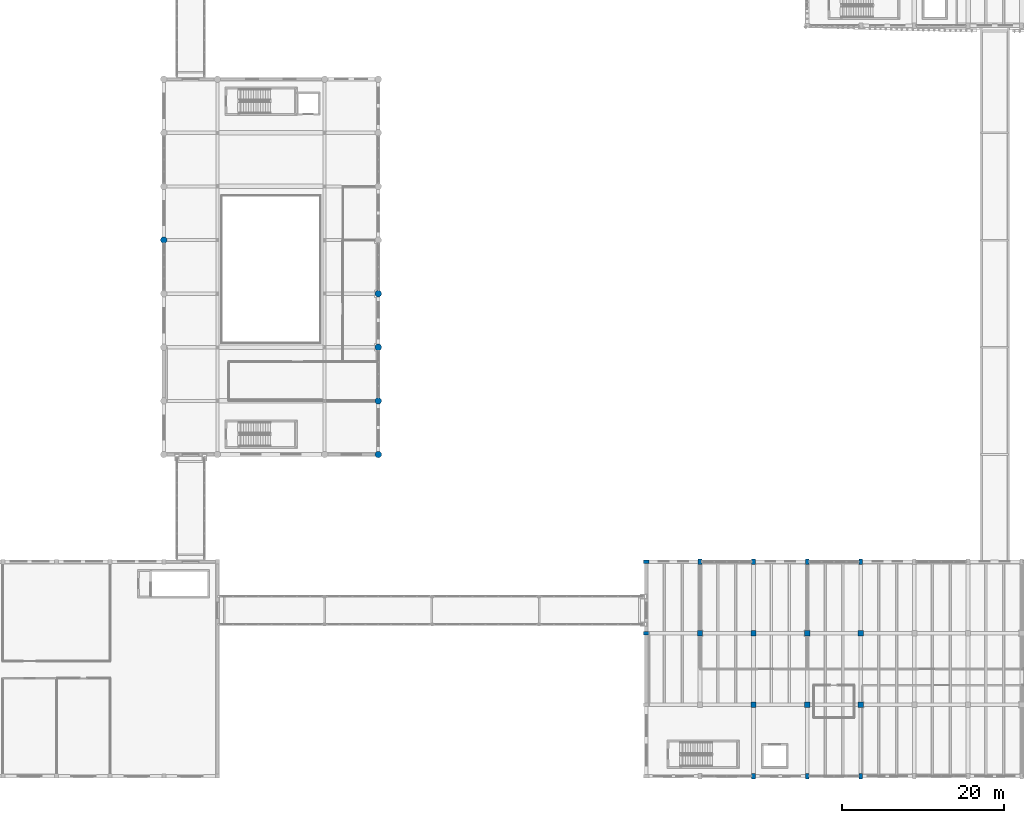
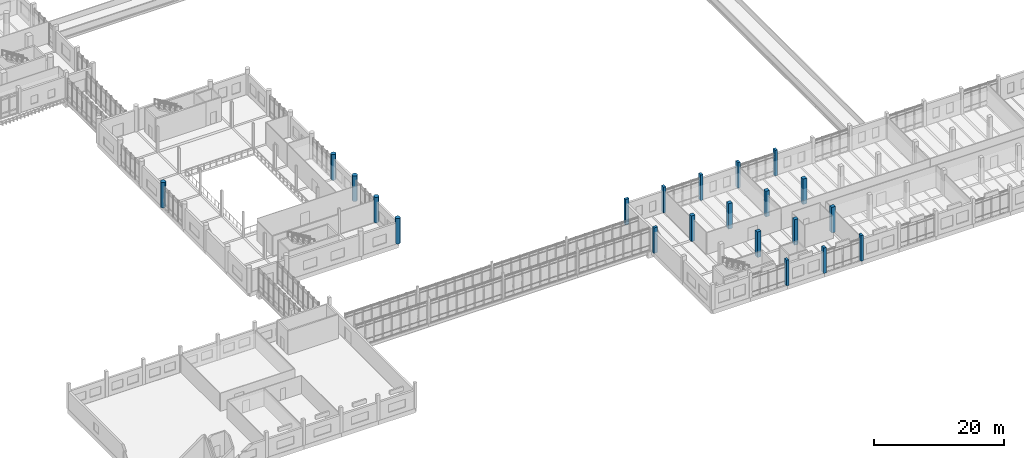
# One storey, part 5 of 101: 21 columns.
"""IFC4 building model written with IfcOpenShell, lengths in metres."""

from ifc_helpers import new_model, si_unit, direction, frame, origin, origin_2d, place, context, subcontext, project, spatial, rectangle, circle, extrude, material, material_profile, profile_set, type_object, element, save


model = new_model("IFC4")

# Units and contexts
model_context = context("Model", 3, precision=1e-05, world=origin(), true_north=direction((0.0, 1.0)))
body_context = subcontext(model_context, "Body", "Model", "MODEL_VIEW")
ifc_project = project(units=[si_unit("LENGTHUNIT", "METRE"), si_unit("AREAUNIT", "SQUARE_METRE"), si_unit("VOLUMEUNIT", "CUBIC_METRE"), si_unit("PLANEANGLEUNIT", "RADIAN"), si_unit("MASSUNIT", "GRAM", prefix="KILO")], contexts=[model_context])

# Site, building, storey
site_placement = place(None, origin())
site = spatial("IfcSite", under=ifc_project, at=site_placement, CompositionType="ELEMENT")
building_placement = place(site_placement, origin())
building = spatial("IfcBuilding", under=site, at=building_placement, Name="Dornvale Research Institute", CompositionType="ELEMENT")
storey_placement = place(building_placement, frame((0.0, 0.0, 10.199951171875)))
storey = spatial("IfcBuildingStorey", under=building, at=storey_placement, Name="L02", CompositionType="ELEMENT", Elevation=10.199951171875)

# Columns
ifc_material_1 = material(Name="Concrete f'c 45 MPa (C35/45)", Category="concrete")
ifc_material_profile_1 = material_profile(ifc_material_1, rectangle(XDim=0.64990234375, YDim=0.64990234375, at=origin_2d()), Name="RC 650x650")
ifc_profile_set_1 = profile_set([ifc_material_profile_1], Name="Concrete f'c 45 MPa (C35/45)")
column_type_1 = type_object("IfcColumnType", Name="Column_RC650", PredefinedType="COLUMN", material=ifc_profile_set_1)
for number, where, z_axis, x_axis, name in (
    (1, (105.60009765625, 17.60009765625, 0.0), (0.0, 0.0, 1.0), (1.0, 0.0, 0.0), "L02 column #888"),
    (2, (112.199951171875, 8.800048828125, 0.0), (0.0, 0.0, 1.0), (1.0, 0.0, 0.0), "L02 column #891"),
    (3, (112.199951171875, 17.60009765625, 0.0), (0.0, 0.0, 1.0), (1.0, 0.0, 0.0), "L02 column #892"),
    (4, (118.800048828125, 8.800048828125, 0.0), (0.0, 0.0, 1.0), (1.0, 0.0, 0.0), "L02 column #895"),
    (5, (118.800048828125, 17.60009765625, 0.0), (0.0, 0.0, 1.0), (1.0, 0.0, 0.0), "L02 column #896"),
    (6, (125.39990234375, 8.800048828125, 0.0), (0.0, 0.0, 1.0), (1.0, 0.0, 0.0), "L02 column #899"),
    (7, (125.39990234375, 17.60009765625, 0.0), (0.0, 0.0, 1.0), (1.0, 0.0, 0.0), "L02 column #900"),
):
    element("IfcColumn", number, at=place(storey_placement, frame(where, z_axis=z_axis, x_axis=x_axis)), inside=storey, type_object=column_type_1, Name=name, PredefinedType="COLUMN", context=body_context, shape_type="SweptSolid", body=[
        extrude(rectangle(XDim=0.64990234375, YDim=0.64990234375, at=origin_2d()), origin(), (0.0, 0.0, 1.0), 4.800048828125),
    ])
ifc_material_2 = material(Name="Concrete f'c 45 MPa (C35/45)", Category="concrete")
ifc_material_profile_2 = material_profile(ifc_material_2, circle(Radius=0.39990234375, at=origin_2d()), Name="RC DIA 800")
ifc_profile_set_2 = profile_set([ifc_material_profile_2], Name="Concrete f'c 45 MPa (C35/45)")
column_type_2 = type_object("IfcColumnType", Name="Column_RCDia800_Ext", PredefinedType="COLUMN", material=ifc_profile_set_2)
for number, where, z_axis, x_axis, name in (
    (8, (39.60009765625, 66.0, 0.0), (0.0, 0.0, 1.0), (1.0, 0.0, 0.0), "L02 column #1086"),
    (9, (66.0, 39.60009765625, 0.0), (0.0, 0.0, 1.0), (1.0, 0.0, 0.0), "L02 column #1106"),
    (10, (66.0, 46.199951171875, 0.0), (0.0, 0.0, 1.0), (1.0, 0.0, 0.0), "L02 column #1107"),
    (11, (66.0, 52.800048828125, 0.0), (0.0, 0.0, 1.0), (1.0, 0.0, 0.0), "L02 column #1108"),
    (12, (66.0, 59.39990234375, 0.0), (0.0, 0.0, 1.0), (1.0, 0.0, 0.0), "L02 column #1109"),
):
    element("IfcColumn", number, at=place(storey_placement, frame(where, z_axis=z_axis, x_axis=x_axis)), inside=storey, type_object=column_type_2, Name=name, PredefinedType="COLUMN", context=body_context, shape_type="SweptSolid", body=[
        extrude(circle(Radius=0.39990234375, at=origin_2d()), origin(), (0.0, 0.0, 1.0), 4.800048828125),
    ])
ifc_material_3 = material(Name="Concrete f'c 45 MPa (C35/45)", Category="concrete")
ifc_material_profile_3 = material_profile(ifc_material_3, rectangle(XDim=0.449951171875, YDim=0.64990234375, at=origin_2d()), Name="RC 450x650")
ifc_profile_set_3 = profile_set([ifc_material_profile_3], Name="Concrete f'c 45 MPa (C35/45)")
column_type_3 = type_object("IfcColumnType", Name="Pilaster_RC450x650_Ext", PredefinedType="PILASTER", material=ifc_profile_set_3)
for number, where, z_axis, x_axis, name in (
    (13, (99.0, 17.60009765625, 0.0), (0.0, 0.0, 1.0), (0.0, 1.0, 0.0), "L02 column #884"),
    (14, (99.0, 26.39990234375, 0.0), (0.0, 0.0, 1.0), (0.0, 1.0, 0.0), "L02 column #885"),
    (15, (105.60009765625, 26.39990234375, 0.0), (0.0, 0.0, 1.0), (1.0, 0.0, 0.0), "L02 column #889"),
    (16, (112.199951171875, 0.0, 0.0), (0.0, 0.0, 1.0), (1.0, 0.0, 0.0), "L02 column #890"),
    (17, (112.199951171875, 26.39990234375, 0.0), (0.0, 0.0, 1.0), (1.0, 0.0, 0.0), "L02 column #893"),
    (18, (118.800048828125, 0.0, 0.0), (0.0, 0.0, 1.0), (1.0, 0.0, 0.0), "L02 column #894"),
    (19, (118.800048828125, 26.39990234375, 0.0), (0.0, 0.0, 1.0), (1.0, 0.0, 0.0), "L02 column #897"),
    (20, (125.39990234375, 0.0, 0.0), (0.0, 0.0, 1.0), (1.0, 0.0, 0.0), "L02 column #898"),
    (21, (125.39990234375, 26.39990234375, 0.0), (0.0, 0.0, 1.0), (1.0, 0.0, 0.0), "L02 column #901"),
):
    element("IfcColumn", number, at=place(storey_placement, frame(where, z_axis=z_axis, x_axis=x_axis)), inside=storey, type_object=column_type_3, Name=name, PredefinedType="PILASTER", context=body_context, shape_type="SweptSolid", body=[
        extrude(rectangle(XDim=0.449951171875, YDim=0.64990234375, at=origin_2d()), origin(), (0.0, 0.0, 1.0), 4.800048828125),
    ])

save(model, "model.ifc")
